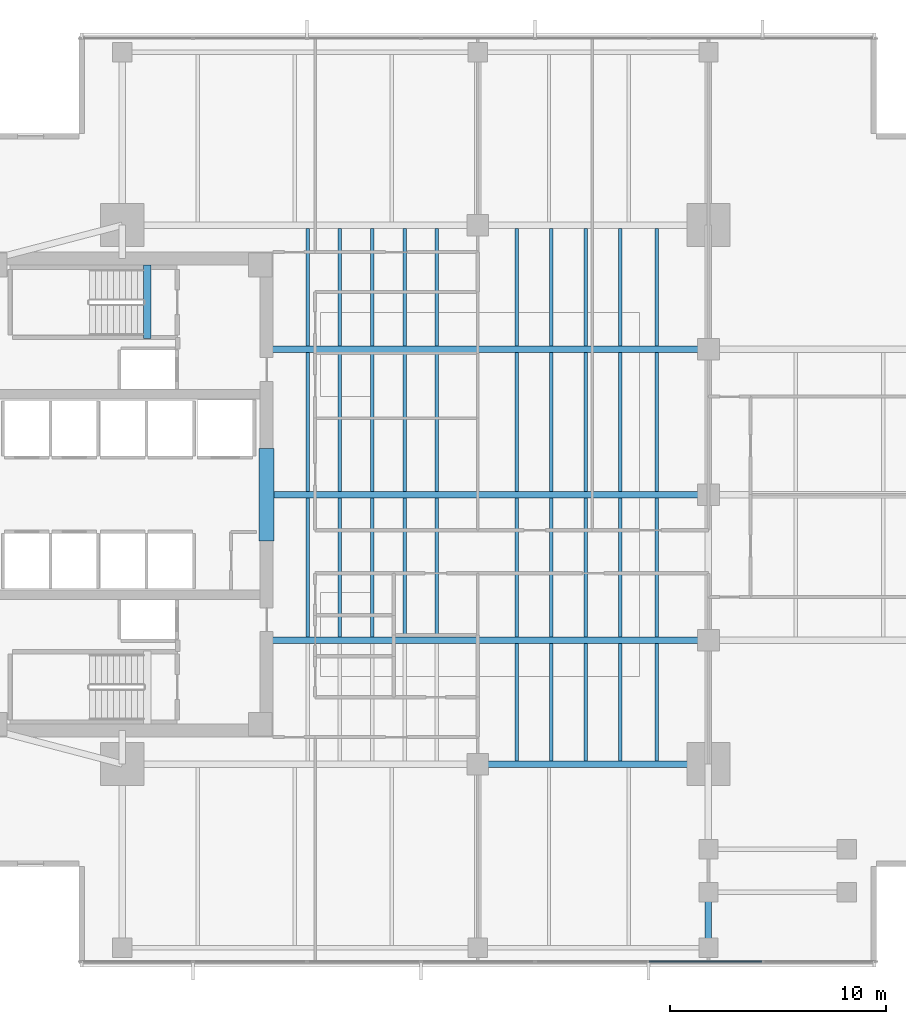
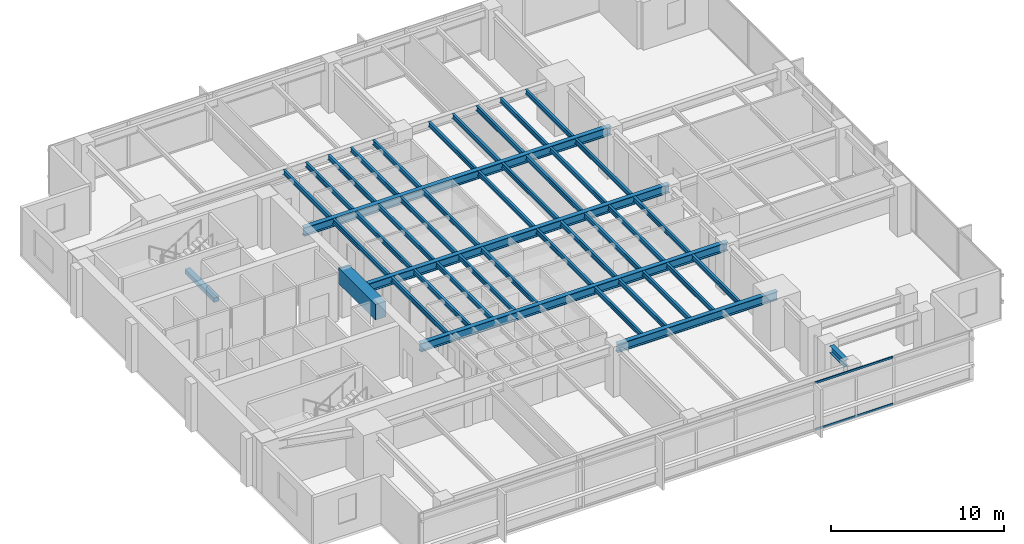
# One storey, part 3 of 14: 42 beams, 2 members, 1 element without a shape of its own.
"""IFC4 building model written with IfcOpenShell, lengths in metres."""

from ifc_helpers import new_model, si_unit, direction, frame, origin, origin_2d, place, context, subcontext, project, spatial, rectangle, i_section, extrude, material, layer, layer_set, material_profile, profile_set, type_object, element, aggregate, save


model = new_model("IFC4")

# Units and contexts
model_context = context("Model", 3, precision=1e-05, world=origin(), true_north=direction((0.0, 1.0)))
body_context = subcontext(model_context, "Body", "Model", "MODEL_VIEW")
ifc_project = project(units=[si_unit("LENGTHUNIT", "METRE"), si_unit("AREAUNIT", "SQUARE_METRE"), si_unit("VOLUMEUNIT", "CUBIC_METRE"), si_unit("PLANEANGLEUNIT", "RADIAN"), si_unit("MASSUNIT", "GRAM", prefix="KILO")], contexts=[model_context])

# Site, building, storey
site_placement = place(None, origin())
site = spatial("IfcSite", under=ifc_project, at=site_placement, CompositionType="ELEMENT")
building_placement = place(site_placement, origin())
building = spatial("IfcBuilding", under=site, at=building_placement, Name="Kinhvarn Gate Tower", CompositionType="ELEMENT")
storey_placement = place(building_placement, frame((0.0, 0.0, 166.14990234375)))
storey = spatial("IfcBuildingStorey", under=building, at=storey_placement, Name="L44", CompositionType="ELEMENT", Elevation=166.14990234375)

# Beams
ifc_material_1 = material(Name="Concrete C70/85", Category="concrete")
ifc_material_profile_1 = material_profile(ifc_material_1, rectangle(XDim=0.699951171875, YDim=1.10009765625, at=origin_2d()), Name="RC 700x1100")
ifc_profile_set_1 = profile_set([ifc_material_profile_1], Name="Concrete C70/85")
beam_type_1 = type_object("IfcBeamType", Name="BM-CB-1100", PredefinedType="LINTEL", material=ifc_profile_set_1)
beam_1_placement = place(storey_placement, frame((17.699951171875, 23.10009765625, 2.820068359375), z_axis=(0.0, 1.0, 0.0), x_axis=(-1.0, 0.0, 0.0)))
element("IfcBeam", 1, at=beam_1_placement, inside=storey, type_object=beam_type_1, Name="Core East Portal Coupling Beam L44", PredefinedType="LINTEL", context=body_context, shape_type="SweptSolid", body=[
    extrude(rectangle(XDim=0.699951171875, YDim=1.10009765625, at=origin_2d()), origin(), (0.0, 0.0, 1.0), 4.2998046875),
])
ifc_material_2 = material(Name="Concrete C50/60", Category="concrete")
ifc_material_profile_2 = material_profile(ifc_material_2, rectangle(XDim=0.340087890625, YDim=0.320068359375, at=origin_2d()), Name="RC 340x320")
ifc_profile_set_2 = profile_set([ifc_material_profile_2], Name="Concrete C50/60")
beam_type_2 = type_object("IfcBeamType", Name="BM-LND-500", PredefinedType="BEAM", material=ifc_profile_set_2)
beam_2_placement = place(storey_placement, frame((12.1650390625, 32.5, -0.159912109375), z_axis=(0.0, 1.0, 0.0), x_axis=(-1.0, 0.0, 0.0)))
element("IfcBeam", 2, at=beam_2_placement, inside=storey, type_object=beam_type_2, Name="Stair ST2 Landing Nosing Beam (L44)", PredefinedType="BEAM", context=body_context, shape_type="SweptSolid", body=[
    extrude(rectangle(XDim=0.340087890625, YDim=0.320068359375, at=origin_2d()), origin(), (0.0, 0.0, 1.0), 3.39990234375),
])

# Curtain wall, members
ifc_material_3 = material(Name="Anodised aluminium AW-6063", Category="aluminium")
ifc_layer = layer(ifc_material_3, 0.179931640625)
ifc_layer_set = layer_set([ifc_layer], Name="Anodised aluminium AW-6063")
curtain_wall_type = type_object("IfcCurtainWallType", Name="CW-SYS-3", PredefinedType="NOTDEFINED", material=ifc_layer_set)
curtain_wall_placement = place(storey_placement, origin())
curtain_wall = element("IfcCurtainWall", 3, at=curtain_wall_placement, inside=storey, type_object=curtain_wall_type, Name="Curtain Wall CW3 (L44)", PredefinedType="NOTDEFINED")
ifc_material_profile_3 = material_profile(ifc_material_3, rectangle(XDim=0.070068359375, YDim=0.139892578125, at=origin_2d()), Name="ALU 70x140")
ifc_profile_set_3 = profile_set([ifc_material_profile_3], Name="Anodised aluminium AW-6063")
member_type = type_object("IfcMemberType", Name="CW-TRN-140", PredefinedType="USERDEFINED", material=ifc_profile_set_3)
member_1_placement = place(storey_placement, frame((35.461181640625, 3.590087890625, 0.03515625), z_axis=(1.0, 0.0, 0.0), x_axis=(0.0, 1.0, 0.0)))
member_1 = element("IfcMember", 4, at=member_1_placement, type_object=member_type, Name="CW3 transom 6.1", ObjectType="TRANSOM", PredefinedType="USERDEFINED", context=body_context, shape_type="SweptSolid", body=[
    extrude(rectangle(XDim=0.070068359375, YDim=0.139892578125, at=origin_2d()), origin(), (0.0, 0.0, 1.0), 5.220703125),
])
member_2_placement = place(storey_placement, frame((35.461181640625, 3.590087890625, 3.335205078125), z_axis=(1.0, 0.0, 0.0), x_axis=(0.0, 1.0, 0.0)))
member_2 = element("IfcMember", 5, at=member_2_placement, type_object=member_type, Name="CW3 transom 6.2", ObjectType="TRANSOM", PredefinedType="USERDEFINED", context=body_context, shape_type="SweptSolid", body=[
    extrude(rectangle(XDim=0.070068359375, YDim=0.139892578125, at=origin_2d()), origin(), (0.0, 0.0, 1.0), 5.220703125),
])
aggregate(curtain_wall, [member_1, member_2])

# Beams
ifc_material_4 = material(Name="Steel S355", Category="steel")
ifc_material_profile_4 = material_profile(ifc_material_4, i_section(OverallWidth=0.300048828125, OverallDepth=0.5, WebThickness=0.014404296875, FlangeThickness=0.028076171875, at=origin_2d()), Name="HEB 500")
ifc_profile_set_4 = profile_set([ifc_material_profile_4], Name="Steel S355")
beam_type_3 = type_object("IfcBeamType", Name="STL-HEB500", PredefinedType="BEAM", material=ifc_profile_set_4)
beam_3_placement = place(storey_placement, frame((38.199951171875, 4.655029296875, 3.1201171875), z_axis=(0.0, 1.0, 0.0), x_axis=(-1.0, 0.0, 0.0)))
element("IfcBeam", 6, at=beam_3_placement, inside=storey, type_object=beam_type_3, Name="Floor Beam PG-14 (L44 MCE-S-A0)", PredefinedType="BEAM", context=body_context, shape_type="SweptSolid", body=[
    extrude(i_section(OverallWidth=0.300048828125, OverallDepth=0.5, WebThickness=0.014404296875, FlangeThickness=0.028076171875, at=origin_2d()), origin(), (0.0, 0.0, 1.0), 1.7099609375),
])
ifc_material_profile_5 = material_profile(ifc_material_4, i_section(OverallWidth=0.300048828125, OverallDepth=0.60009765625, WebThickness=0.015380859375, FlangeThickness=0.030029296875, at=origin_2d()), Name="HEB 600")
ifc_profile_set_5 = profile_set([ifc_material_profile_5], Name="Steel S355")
beam_type_4 = type_object("IfcBeamType", Name="STL-HEB600", PredefinedType="BEAM", material=ifc_profile_set_5)
beam_4_placement = place(storey_placement, frame((27.5, 12.75, 3.070068359375), z_axis=(1.0, 0.0, 0.0), x_axis=(0.0, 1.0, 0.0)))
element("IfcBeam", 7, at=beam_4_placement, inside=storey, type_object=beam_type_4, Name="Floor Beam PG-16 (L44 MG-S2)", PredefinedType="BEAM", context=body_context, shape_type="SweptSolid", body=[
    extrude(i_section(OverallWidth=0.300048828125, OverallDepth=0.60009765625, WebThickness=0.015380859375, FlangeThickness=0.030029296875, at=origin_2d()), origin(), (0.0, 0.0, 1.0), 10.699951171875),
])
beam_5_placement = place(storey_placement, frame((17.64990234375, 18.5, 3.070068359375), z_axis=(1.0, 0.0, 0.0), x_axis=(0.0, 1.0, 0.0)))
element("IfcBeam", 8, at=beam_5_placement, inside=storey, type_object=beam_type_4, Name="Floor Beam PG-16 (L44 EW1-Y18)", PredefinedType="BEAM", context=body_context, shape_type="SweptSolid", body=[
    extrude(i_section(OverallWidth=0.300048828125, OverallDepth=0.60009765625, WebThickness=0.015380859375, FlangeThickness=0.030029296875, at=origin_2d()), origin(), (0.0, 0.0, 1.0), 20.550048828125),
])
beam_6_placement = place(storey_placement, frame((18.050048828125, 25.25, 3.070068359375), z_axis=(1.0, 0.0, 0.0), x_axis=(0.0, 1.0, 0.0)))
element("IfcBeam", 9, at=beam_6_placement, inside=storey, type_object=beam_type_4, Name="Floor Beam PG-16 (L44 EW1-Y25)", PredefinedType="BEAM", context=body_context, shape_type="SweptSolid", body=[
    extrude(i_section(OverallWidth=0.300048828125, OverallDepth=0.60009765625, WebThickness=0.015380859375, FlangeThickness=0.030029296875, at=origin_2d()), origin(), (0.0, 0.0, 1.0), 20.14990234375),
])
beam_7_placement = place(storey_placement, frame((17.64990234375, 32.0, 3.070068359375), z_axis=(1.0, 0.0, 0.0), x_axis=(0.0, 1.0, 0.0)))
element("IfcBeam", 10, at=beam_7_placement, inside=storey, type_object=beam_type_4, Name="Floor Beam PG-16 (L44 EW1-Y32)", PredefinedType="BEAM", context=body_context, shape_type="SweptSolid", body=[
    extrude(i_section(OverallWidth=0.300048828125, OverallDepth=0.60009765625, WebThickness=0.015380859375, FlangeThickness=0.030029296875, at=origin_2d()), origin(), (0.0, 0.0, 1.0), 20.550048828125),
])
ifc_material_profile_6 = material_profile(ifc_material_4, i_section(OverallWidth=0.159912109375, OverallDepth=0.330078125, WebThickness=0.007568359375, FlangeThickness=0.011474609375, at=origin_2d()), Name="IPE 330")
ifc_profile_set_6 = profile_set([ifc_material_profile_6], Name="Steel S355")
beam_type_5 = type_object("IfcBeamType", Name="STL-IPE330", PredefinedType="JOIST", material=ifc_profile_set_6)
for number, where, z_axis, x_axis, name in (
    (11, (19.60009765625, 18.64990234375, 3.205078125), (0.0, 1.0, 0.0), (-1.0, 0.0, 0.0), "Floor Joist SB-03 (L44 JC-X196-1)"),
    (12, (19.60009765625, 25.39990234375, 3.205078125), (0.0, 1.0, 0.0), (-1.0, 0.0, 0.0), "Floor Joist SB-03 (L44 JC-X196-2)"),
):
    element("IfcBeam", number, at=place(storey_placement, frame(where, z_axis=z_axis, x_axis=x_axis)), inside=storey, type_object=beam_type_5, Name=name, PredefinedType="JOIST", context=body_context, shape_type="SweptSolid", body=[
        extrude(i_section(OverallWidth=0.159912109375, OverallDepth=0.330078125, WebThickness=0.007568359375, FlangeThickness=0.011474609375, at=origin_2d()), origin(), (0.0, 0.0, 1.0), 6.4501953125),
    ])
beam_8_placement = place(storey_placement, frame((19.60009765625, 32.14990234375, 3.205078125), z_axis=(0.0, 1.0, 0.0), x_axis=(-1.0, 0.0, 0.0)))
element("IfcBeam", 13, at=beam_8_placement, inside=storey, type_object=beam_type_5, Name="Floor Joist SB-03 (L44 JC-X196-3)", PredefinedType="JOIST", context=body_context, shape_type="SweptSolid", body=[
    extrude(i_section(OverallWidth=0.159912109375, OverallDepth=0.330078125, WebThickness=0.007568359375, FlangeThickness=0.011474609375, at=origin_2d()), origin(), (0.0, 0.0, 1.0), 5.4501953125),
])
for number, where, z_axis, x_axis, name in (
    (14, (21.10009765625, 18.64990234375, 3.205078125), (0.0, 1.0, 0.0), (-1.0, 0.0, 0.0), "Floor Joist SB-03 (L44 JC-X211-1)"),
    (15, (21.10009765625, 25.39990234375, 3.205078125), (0.0, 1.0, 0.0), (-1.0, 0.0, 0.0), "Floor Joist SB-03 (L44 JC-X211-2)"),
):
    element("IfcBeam", number, at=place(storey_placement, frame(where, z_axis=z_axis, x_axis=x_axis)), inside=storey, type_object=beam_type_5, Name=name, PredefinedType="JOIST", context=body_context, shape_type="SweptSolid", body=[
        extrude(i_section(OverallWidth=0.159912109375, OverallDepth=0.330078125, WebThickness=0.007568359375, FlangeThickness=0.011474609375, at=origin_2d()), origin(), (0.0, 0.0, 1.0), 6.4501953125),
    ])
beam_9_placement = place(storey_placement, frame((21.10009765625, 32.14990234375, 3.205078125), z_axis=(0.0, 1.0, 0.0), x_axis=(-1.0, 0.0, 0.0)))
element("IfcBeam", 16, at=beam_9_placement, inside=storey, type_object=beam_type_5, Name="Floor Joist SB-03 (L44 JC-X211-3)", PredefinedType="JOIST", context=body_context, shape_type="SweptSolid", body=[
    extrude(i_section(OverallWidth=0.159912109375, OverallDepth=0.330078125, WebThickness=0.007568359375, FlangeThickness=0.011474609375, at=origin_2d()), origin(), (0.0, 0.0, 1.0), 5.4501953125),
])
for number, where, z_axis, x_axis, name in (
    (17, (22.60009765625, 18.64990234375, 3.205078125), (0.0, 1.0, 0.0), (-1.0, 0.0, 0.0), "Floor Joist SB-03 (L44 JC-X226-1)"),
    (18, (22.60009765625, 25.39990234375, 3.205078125), (0.0, 1.0, 0.0), (-1.0, 0.0, 0.0), "Floor Joist SB-03 (L44 JC-X226-2)"),
):
    element("IfcBeam", number, at=place(storey_placement, frame(where, z_axis=z_axis, x_axis=x_axis)), inside=storey, type_object=beam_type_5, Name=name, PredefinedType="JOIST", context=body_context, shape_type="SweptSolid", body=[
        extrude(i_section(OverallWidth=0.159912109375, OverallDepth=0.330078125, WebThickness=0.007568359375, FlangeThickness=0.011474609375, at=origin_2d()), origin(), (0.0, 0.0, 1.0), 6.4501953125),
    ])
beam_10_placement = place(storey_placement, frame((22.60009765625, 32.14990234375, 3.205078125), z_axis=(0.0, 1.0, 0.0), x_axis=(-1.0, 0.0, 0.0)))
element("IfcBeam", 19, at=beam_10_placement, inside=storey, type_object=beam_type_5, Name="Floor Joist SB-03 (L44 JC-X226-3)", PredefinedType="JOIST", context=body_context, shape_type="SweptSolid", body=[
    extrude(i_section(OverallWidth=0.159912109375, OverallDepth=0.330078125, WebThickness=0.007568359375, FlangeThickness=0.011474609375, at=origin_2d()), origin(), (0.0, 0.0, 1.0), 5.4501953125),
])
for number, where, z_axis, x_axis, name in (
    (20, (24.10009765625, 18.64990234375, 3.205078125), (0.0, 1.0, 0.0), (-1.0, 0.0, 0.0), "Floor Joist SB-03 (L44 JC-X241-1)"),
    (21, (24.10009765625, 25.39990234375, 3.205078125), (0.0, 1.0, 0.0), (-1.0, 0.0, 0.0), "Floor Joist SB-03 (L44 JC-X241-2)"),
):
    element("IfcBeam", number, at=place(storey_placement, frame(where, z_axis=z_axis, x_axis=x_axis)), inside=storey, type_object=beam_type_5, Name=name, PredefinedType="JOIST", context=body_context, shape_type="SweptSolid", body=[
        extrude(i_section(OverallWidth=0.159912109375, OverallDepth=0.330078125, WebThickness=0.007568359375, FlangeThickness=0.011474609375, at=origin_2d()), origin(), (0.0, 0.0, 1.0), 6.4501953125),
    ])
beam_11_placement = place(storey_placement, frame((24.10009765625, 32.14990234375, 3.205078125), z_axis=(0.0, 1.0, 0.0), x_axis=(-1.0, 0.0, 0.0)))
element("IfcBeam", 22, at=beam_11_placement, inside=storey, type_object=beam_type_5, Name="Floor Joist SB-03 (L44 JC-X241-3)", PredefinedType="JOIST", context=body_context, shape_type="SweptSolid", body=[
    extrude(i_section(OverallWidth=0.159912109375, OverallDepth=0.330078125, WebThickness=0.007568359375, FlangeThickness=0.011474609375, at=origin_2d()), origin(), (0.0, 0.0, 1.0), 5.4501953125),
])
for number, where, z_axis, x_axis, name in (
    (23, (25.60009765625, 18.64990234375, 3.205078125), (0.0, 1.0, 0.0), (-1.0, 0.0, 0.0), "Floor Joist SB-03 (L44 JC-X256-1)"),
    (24, (25.60009765625, 25.39990234375, 3.205078125), (0.0, 1.0, 0.0), (-1.0, 0.0, 0.0), "Floor Joist SB-03 (L44 JC-X256-2)"),
):
    element("IfcBeam", number, at=place(storey_placement, frame(where, z_axis=z_axis, x_axis=x_axis)), inside=storey, type_object=beam_type_5, Name=name, PredefinedType="JOIST", context=body_context, shape_type="SweptSolid", body=[
        extrude(i_section(OverallWidth=0.159912109375, OverallDepth=0.330078125, WebThickness=0.007568359375, FlangeThickness=0.011474609375, at=origin_2d()), origin(), (0.0, 0.0, 1.0), 6.4501953125),
    ])
for number, where, z_axis, x_axis, name in (
    (25, (25.60009765625, 32.14990234375, 3.205078125), (0.0, 1.0, 0.0), (-1.0, 0.0, 0.0), "Floor Joist SB-03 (L44 JC-X256-3)"),
    (26, (29.300048828125, 12.89990234375, 3.205078125), (0.0, 1.0, 0.0), (-1.0, 0.0, 0.0), "Floor Joist SB-03 (L44 JC-X293-0)"),
):
    element("IfcBeam", number, at=place(storey_placement, frame(where, z_axis=z_axis, x_axis=x_axis)), inside=storey, type_object=beam_type_5, Name=name, PredefinedType="JOIST", context=body_context, shape_type="SweptSolid", body=[
        extrude(i_section(OverallWidth=0.159912109375, OverallDepth=0.330078125, WebThickness=0.007568359375, FlangeThickness=0.011474609375, at=origin_2d()), origin(), (0.0, 0.0, 1.0), 5.4501953125),
    ])
for number, where, z_axis, x_axis, name in (
    (27, (29.300048828125, 18.64990234375, 3.205078125), (0.0, 1.0, 0.0), (-1.0, 0.0, 0.0), "Floor Joist SB-03 (L44 JC-X293-1)"),
    (28, (29.300048828125, 25.39990234375, 3.205078125), (0.0, 1.0, 0.0), (-1.0, 0.0, 0.0), "Floor Joist SB-03 (L44 JC-X293-2)"),
):
    element("IfcBeam", number, at=place(storey_placement, frame(where, z_axis=z_axis, x_axis=x_axis)), inside=storey, type_object=beam_type_5, Name=name, PredefinedType="JOIST", context=body_context, shape_type="SweptSolid", body=[
        extrude(i_section(OverallWidth=0.159912109375, OverallDepth=0.330078125, WebThickness=0.007568359375, FlangeThickness=0.011474609375, at=origin_2d()), origin(), (0.0, 0.0, 1.0), 6.4501953125),
    ])
for number, where, z_axis, x_axis, name in (
    (29, (29.300048828125, 32.14990234375, 3.205078125), (0.0, 1.0, 0.0), (-1.0, 0.0, 0.0), "Floor Joist SB-03 (L44 JC-X293-3)"),
    (30, (30.89990234375, 12.89990234375, 3.205078125), (0.0, 1.0, 0.0), (-1.0, 0.0, 0.0), "Floor Joist SB-03 (L44 JC-X309-0)"),
):
    element("IfcBeam", number, at=place(storey_placement, frame(where, z_axis=z_axis, x_axis=x_axis)), inside=storey, type_object=beam_type_5, Name=name, PredefinedType="JOIST", context=body_context, shape_type="SweptSolid", body=[
        extrude(i_section(OverallWidth=0.159912109375, OverallDepth=0.330078125, WebThickness=0.007568359375, FlangeThickness=0.011474609375, at=origin_2d()), origin(), (0.0, 0.0, 1.0), 5.4501953125),
    ])
for number, where, z_axis, x_axis, name in (
    (31, (30.89990234375, 18.64990234375, 3.205078125), (0.0, 1.0, 0.0), (-1.0, 0.0, 0.0), "Floor Joist SB-03 (L44 JC-X309-1)"),
    (32, (30.89990234375, 25.39990234375, 3.205078125), (0.0, 1.0, 0.0), (-1.0, 0.0, 0.0), "Floor Joist SB-03 (L44 JC-X309-2)"),
):
    element("IfcBeam", number, at=place(storey_placement, frame(where, z_axis=z_axis, x_axis=x_axis)), inside=storey, type_object=beam_type_5, Name=name, PredefinedType="JOIST", context=body_context, shape_type="SweptSolid", body=[
        extrude(i_section(OverallWidth=0.159912109375, OverallDepth=0.330078125, WebThickness=0.007568359375, FlangeThickness=0.011474609375, at=origin_2d()), origin(), (0.0, 0.0, 1.0), 6.4501953125),
    ])
for number, where, z_axis, x_axis, name in (
    (33, (30.89990234375, 32.14990234375, 3.205078125), (0.0, 1.0, 0.0), (-1.0, 0.0, 0.0), "Floor Joist SB-03 (L44 JC-X309-3)"),
    (34, (32.5, 12.89990234375, 3.205078125), (0.0, 1.0, 0.0), (-1.0, 0.0, 0.0), "Floor Joist SB-03 (L44 JC-X325-0)"),
):
    element("IfcBeam", number, at=place(storey_placement, frame(where, z_axis=z_axis, x_axis=x_axis)), inside=storey, type_object=beam_type_5, Name=name, PredefinedType="JOIST", context=body_context, shape_type="SweptSolid", body=[
        extrude(i_section(OverallWidth=0.159912109375, OverallDepth=0.330078125, WebThickness=0.007568359375, FlangeThickness=0.011474609375, at=origin_2d()), origin(), (0.0, 0.0, 1.0), 5.4501953125),
    ])
for number, where, z_axis, x_axis, name in (
    (35, (32.5, 18.64990234375, 3.205078125), (0.0, 1.0, 0.0), (-1.0, 0.0, 0.0), "Floor Joist SB-03 (L44 JC-X325-1)"),
    (36, (32.5, 25.39990234375, 3.205078125), (0.0, 1.0, 0.0), (-1.0, 0.0, 0.0), "Floor Joist SB-03 (L44 JC-X325-2)"),
):
    element("IfcBeam", number, at=place(storey_placement, frame(where, z_axis=z_axis, x_axis=x_axis)), inside=storey, type_object=beam_type_5, Name=name, PredefinedType="JOIST", context=body_context, shape_type="SweptSolid", body=[
        extrude(i_section(OverallWidth=0.159912109375, OverallDepth=0.330078125, WebThickness=0.007568359375, FlangeThickness=0.011474609375, at=origin_2d()), origin(), (0.0, 0.0, 1.0), 6.4501953125),
    ])
for number, where, z_axis, x_axis, name in (
    (37, (32.5, 32.14990234375, 3.205078125), (0.0, 1.0, 0.0), (-1.0, 0.0, 0.0), "Floor Joist SB-03 (L44 JC-X325-3)"),
    (38, (34.10009765625, 12.89990234375, 3.205078125), (0.0, 1.0, 0.0), (-1.0, 0.0, 0.0), "Floor Joist SB-03 (L44 JC-X341-0)"),
):
    element("IfcBeam", number, at=place(storey_placement, frame(where, z_axis=z_axis, x_axis=x_axis)), inside=storey, type_object=beam_type_5, Name=name, PredefinedType="JOIST", context=body_context, shape_type="SweptSolid", body=[
        extrude(i_section(OverallWidth=0.159912109375, OverallDepth=0.330078125, WebThickness=0.007568359375, FlangeThickness=0.011474609375, at=origin_2d()), origin(), (0.0, 0.0, 1.0), 5.4501953125),
    ])
for number, where, z_axis, x_axis, name in (
    (39, (34.10009765625, 18.64990234375, 3.205078125), (0.0, 1.0, 0.0), (-1.0, 0.0, 0.0), "Floor Joist SB-03 (L44 JC-X341-1)"),
    (40, (34.10009765625, 25.39990234375, 3.205078125), (0.0, 1.0, 0.0), (-1.0, 0.0, 0.0), "Floor Joist SB-03 (L44 JC-X341-2)"),
):
    element("IfcBeam", number, at=place(storey_placement, frame(where, z_axis=z_axis, x_axis=x_axis)), inside=storey, type_object=beam_type_5, Name=name, PredefinedType="JOIST", context=body_context, shape_type="SweptSolid", body=[
        extrude(i_section(OverallWidth=0.159912109375, OverallDepth=0.330078125, WebThickness=0.007568359375, FlangeThickness=0.011474609375, at=origin_2d()), origin(), (0.0, 0.0, 1.0), 6.4501953125),
    ])
for number, where, z_axis, x_axis, name in (
    (41, (34.10009765625, 32.14990234375, 3.205078125), (0.0, 1.0, 0.0), (-1.0, 0.0, 0.0), "Floor Joist SB-03 (L44 JC-X341-3)"),
    (42, (35.800048828125, 12.89990234375, 3.205078125), (0.0, 1.0, 0.0), (-1.0, 0.0, 0.0), "Floor Joist SB-03 (L44 JC-X358-0)"),
):
    element("IfcBeam", number, at=place(storey_placement, frame(where, z_axis=z_axis, x_axis=x_axis)), inside=storey, type_object=beam_type_5, Name=name, PredefinedType="JOIST", context=body_context, shape_type="SweptSolid", body=[
        extrude(i_section(OverallWidth=0.159912109375, OverallDepth=0.330078125, WebThickness=0.007568359375, FlangeThickness=0.011474609375, at=origin_2d()), origin(), (0.0, 0.0, 1.0), 5.4501953125),
    ])
for number, where, z_axis, x_axis, name in (
    (43, (35.800048828125, 18.64990234375, 3.205078125), (0.0, 1.0, 0.0), (-1.0, 0.0, 0.0), "Floor Joist SB-03 (L44 JC-X358-1)"),
    (44, (35.800048828125, 25.39990234375, 3.205078125), (0.0, 1.0, 0.0), (-1.0, 0.0, 0.0), "Floor Joist SB-03 (L44 JC-X358-2)"),
):
    element("IfcBeam", number, at=place(storey_placement, frame(where, z_axis=z_axis, x_axis=x_axis)), inside=storey, type_object=beam_type_5, Name=name, PredefinedType="JOIST", context=body_context, shape_type="SweptSolid", body=[
        extrude(i_section(OverallWidth=0.159912109375, OverallDepth=0.330078125, WebThickness=0.007568359375, FlangeThickness=0.011474609375, at=origin_2d()), origin(), (0.0, 0.0, 1.0), 6.4501953125),
    ])
beam_12_placement = place(storey_placement, frame((35.800048828125, 32.14990234375, 3.205078125), z_axis=(0.0, 1.0, 0.0), x_axis=(-1.0, 0.0, 0.0)))
element("IfcBeam", 45, at=beam_12_placement, inside=storey, type_object=beam_type_5, Name="Floor Joist SB-03 (L44 JC-X358-3)", PredefinedType="JOIST", context=body_context, shape_type="SweptSolid", body=[
    extrude(i_section(OverallWidth=0.159912109375, OverallDepth=0.330078125, WebThickness=0.007568359375, FlangeThickness=0.011474609375, at=origin_2d()), origin(), (0.0, 0.0, 1.0), 5.4501953125),
])

save(model, "model.ifc")
